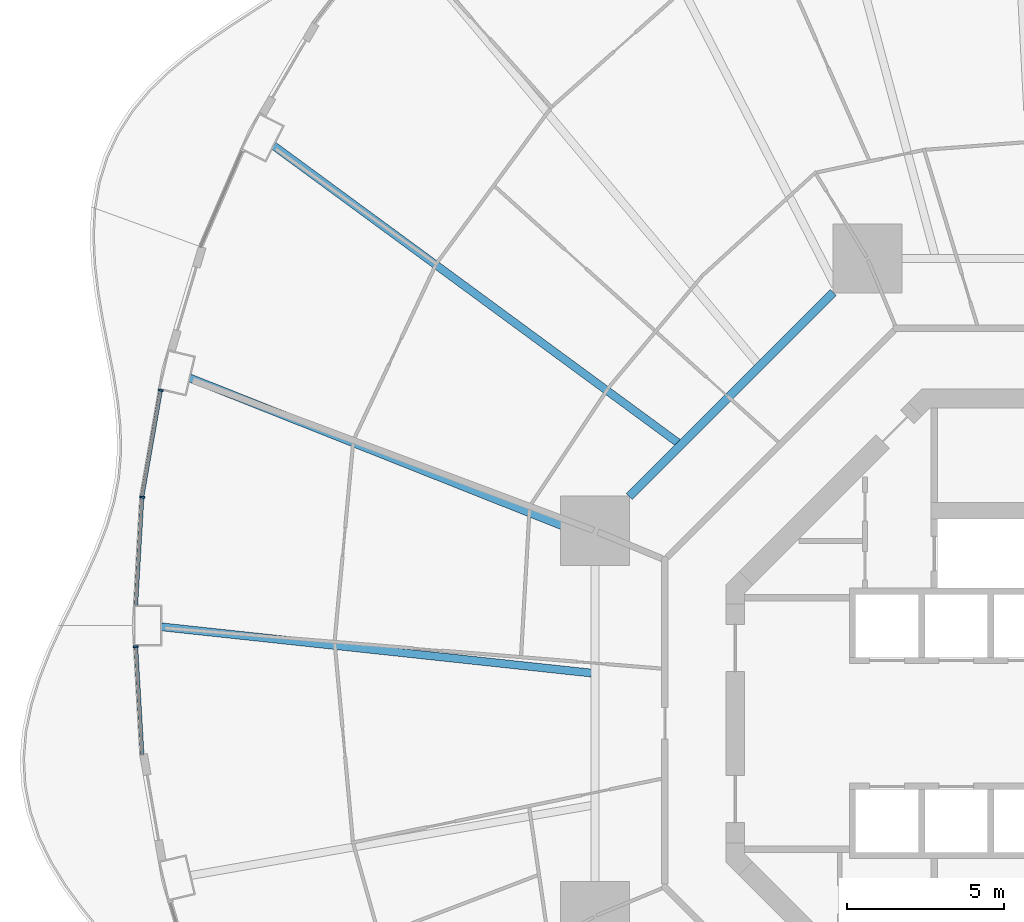
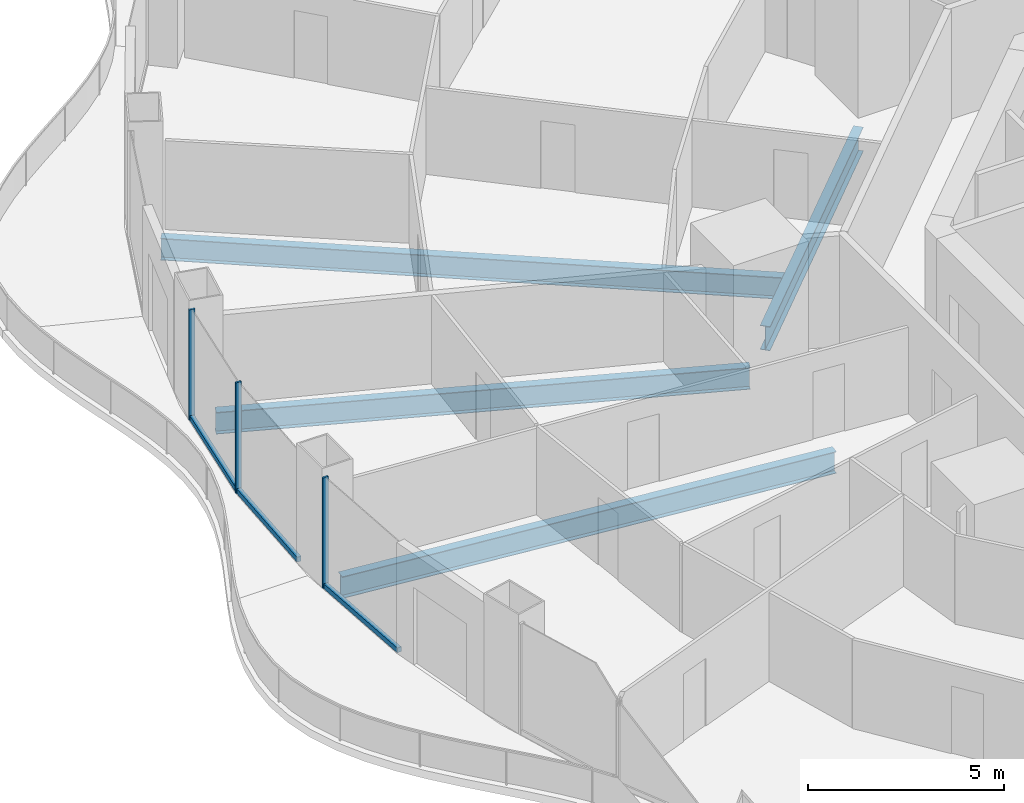
# One storey, part 6 of 22: 6 members, 4 beams, 3 elements without a shape of their own.
"""IFC4 building model written with IfcOpenShell, lengths in metres."""

from ifc_helpers import new_model, si_unit, direction, frame, origin, origin_2d, place, context, subcontext, project, spatial, rectangle, i_section, extrude, material, layer, layer_set, material_profile, profile_set, type_object, element, aggregate, save


model = new_model("IFC4")

# Units and contexts
model_context = context("Model", 3, precision=1e-05, world=origin(), true_north=direction((0.0, 1.0)))
body_context = subcontext(model_context, "Body", "Model", "MODEL_VIEW")
ifc_project = project(units=[si_unit("LENGTHUNIT", "METRE"), si_unit("AREAUNIT", "SQUARE_METRE"), si_unit("VOLUMEUNIT", "CUBIC_METRE"), si_unit("PLANEANGLEUNIT", "RADIAN"), si_unit("MASSUNIT", "GRAM", prefix="KILO")], contexts=[model_context])

# Site, building, storey
site_placement = place(None, origin())
site = spatial("IfcSite", under=ifc_project, at=site_placement, CompositionType="ELEMENT")
building_placement = place(site_placement, origin())
building = spatial("IfcBuilding", under=site, at=building_placement, Name="Nagisa Residences", CompositionType="ELEMENT")
storey_placement = place(building_placement, frame((0.0, 0.0, 73.300048828125)))
storey = spatial("IfcBuildingStorey", under=building, at=storey_placement, Name="L17", CompositionType="ELEMENT", Elevation=73.300048828125)

# Curtain wall, member
ifc_material_1 = material(Name="Concrete-coloured aluminium curtain wall system", Category="concrete")
ifc_layer = layer(ifc_material_1, 0.159912109375)
ifc_layer_set = layer_set([ifc_layer], Name="CW1 CURTAIN WALL")
curtain_wall_type = type_object("IfcCurtainWallType", Name="CW1 CURTAIN WALL", PredefinedType="NOTDEFINED", material=ifc_layer_set)
curtain_wall_1_placement = place(storey_placement, origin())
curtain_wall_1 = element("IfcCurtainWall", 1, at=curtain_wall_1_placement, inside=storey, type_object=curtain_wall_type, Name="cw:CW1:L17:22", PredefinedType="NOTDEFINED")
ifc_material_2 = material(Name="Concrete-coloured aluminium", Category="concrete")
ifc_material_profile_1 = material_profile(ifc_material_2, rectangle(XDim=0.159912109375, YDim=0.06005859375, at=origin_2d()), Name="CW1 MULLION 160x60")
ifc_profile_set_1 = profile_set([ifc_material_profile_1], Name="Concrete-coloured aluminium")
member_type_1 = type_object("IfcMemberType", Name="CW1 MULLION 160x60", PredefinedType="MULLION", material=ifc_profile_set_1)
member_1_placement = place(storey_placement, frame((-28.589599609375, 10.5908203125, 0.0), z_axis=(0.0, 0.0, 1.0), x_axis=(0.985063604377, -0.172190868898, 0.0)))
member_1 = element("IfcMember", 2, at=member_1_placement, type_object=member_type_1, Name="CW1 mullion", PredefinedType="MULLION", context=body_context, shape_type="SweptSolid", body=[
    extrude(rectangle(XDim=0.159912109375, YDim=0.06005859375, at=origin_2d()), origin(), (0.0, 0.0, 1.0), 3.43994140625),
])

curtain_wall_2_placement = place(storey_placement, origin())
curtain_wall_2 = element("IfcCurtainWall", 3, at=curtain_wall_2_placement, inside=storey, type_object=curtain_wall_type, Name="cw:CW1:L17:23", PredefinedType="NOTDEFINED")
member_2_placement = place(storey_placement, frame((-29.179931640625, 7.19677734375, 0.0), z_axis=(0.0, 0.0, 1.0), x_axis=(0.998345305184, -0.057503492216, 0.0)))
member_2 = element("IfcMember", 4, at=member_2_placement, type_object=member_type_1, Name="CW1 mullion", PredefinedType="MULLION", context=body_context, shape_type="SweptSolid", body=[
    extrude(rectangle(XDim=0.159912109375, YDim=0.06005859375, at=origin_2d()), origin(), (0.0, 0.0, 1.0), 3.43994140625),
])

curtain_wall_3_placement = place(storey_placement, origin())
curtain_wall_3 = element("IfcCurtainWall", 5, at=curtain_wall_3_placement, inside=storey, type_object=curtain_wall_type, Name="cw:CW1:L17:24", PredefinedType="NOTDEFINED")
member_3_placement = place(storey_placement, frame((-29.3759765625, 2.443359375, 0.0), z_axis=(0.0, 0.0, 1.0), x_axis=(0.998345305184, 0.057503492216, 0.0)))
member_3 = element("IfcMember", 6, at=member_3_placement, type_object=member_type_1, Name="CW1 mullion", PredefinedType="MULLION", context=body_context, shape_type="SweptSolid", body=[
    extrude(rectangle(XDim=0.159912109375, YDim=0.06005859375, at=origin_2d()), origin(), (0.0, 0.0, 1.0), 3.43994140625),
])

# Member
ifc_material_3 = material(Name="Concrete-coloured aluminium", Category="concrete")
ifc_material_profile_2 = material_profile(ifc_material_3, rectangle(XDim=0.1201171875, YDim=0.14990234375, at=origin_2d()), Name="CW1 TRANSOM 120x150")
ifc_profile_set_2 = profile_set([ifc_material_profile_2], Name="Concrete-coloured aluminium")
member_type_2 = type_object("IfcMemberType", Name="CW1 TRANSOM 120x150", PredefinedType="USERDEFINED", material=ifc_profile_set_2)
member_4_placement = place(storey_placement, frame((-28.58447265625, 10.620361328125, 0.074951171875), z_axis=(-0.172164316671, -0.985068245385, 0.0), x_axis=(0.985068245385, -0.172164316671, 0.0)))
member_4 = element("IfcMember", 7, at=member_4_placement, type_object=member_type_2, Name="CW1 transom", ObjectType="TRANSOM", PredefinedType="USERDEFINED", context=body_context, shape_type="SweptSolid", body=[
    extrude(rectangle(XDim=0.1201171875, YDim=0.14990234375, at=origin_2d()), origin(), (0.0, 0.0, 1.0), 3.454345703125),
])

aggregate(curtain_wall_1, [member_1, member_4])

member_5_placement = place(storey_placement, frame((-29.17822265625, 7.2265625, 0.074951171875), z_axis=(-0.057476526179, -0.99834685803, 0.0), x_axis=(0.99834685803, -0.057476526179, 0.0)))
member_5 = element("IfcMember", 8, at=member_5_placement, type_object=member_type_2, Name="CW1 transom", ObjectType="TRANSOM", PredefinedType="USERDEFINED", context=body_context, shape_type="SweptSolid", body=[
    extrude(rectangle(XDim=0.1201171875, YDim=0.14990234375, at=origin_2d()), origin(), (0.0, 0.0, 1.0), 3.47021484375),
])

aggregate(curtain_wall_2, [member_2, member_5])

member_6_placement = place(storey_placement, frame((-29.377685546875, 2.473388671875, 0.074951171875), z_axis=(0.057476526179, -0.99834685803, 0.0), x_axis=(0.99834685803, 0.057476526179, 0.0)))
member_6 = element("IfcMember", 9, at=member_6_placement, type_object=member_type_2, Name="CW1 transom", ObjectType="TRANSOM", PredefinedType="USERDEFINED", context=body_context, shape_type="SweptSolid", body=[
    extrude(rectangle(XDim=0.1201171875, YDim=0.14990234375, at=origin_2d()), origin(), (0.0, 0.0, 1.0), 3.47021484375),
])

aggregate(curtain_wall_3, [member_3, member_6])

# Beams
ifc_material_4 = material(Name="Steel ASTM A572 Gr 50", Category="steel")
ifc_material_profile_3 = material_profile(ifc_material_4, i_section(OverallWidth=0.264892578125, OverallDepth=0.7529296875, WebThickness=0.01318359375, FlangeThickness=0.01708984375, at=origin_2d()), Name="W760x147")
ifc_profile_set_3 = profile_set([ifc_material_profile_3], Name="Steel ASTM A572 Gr 50")
beam_type_1 = type_object("IfcBeamType", Name="Inner ring beam W760x147", PredefinedType="BEAM", material=ifc_profile_set_3)
beam_1_placement = place(storey_placement, frame((-7.208740234375, 13.6962890625, -0.636474609375), z_axis=(-0.707106781187, -0.707106781187, 0.0), x_axis=(0.707106781187, -0.707106781187, 0.0)))
element("IfcBeam", 10, at=beam_1_placement, inside=storey, type_object=beam_type_1, Name="beam:L17:ib3", PredefinedType="BEAM", context=body_context, shape_type="SweptSolid", body=[
    extrude(i_section(OverallWidth=0.264892578125, OverallDepth=0.7529296875, WebThickness=0.01318359375, FlangeThickness=0.01708984375, at=origin_2d()), origin(), (0.0, 0.0, 1.0), 9.1748046875),
])
ifc_material_5 = material(Name="Steel ASTM A572 Gr 50", Category="steel")
ifc_material_profile_4 = material_profile(ifc_material_5, i_section(OverallWidth=0.2529296875, OverallDepth=0.677978515625, WebThickness=0.01171875, FlangeThickness=0.016357421875, at=origin_2d()), Name="W690x125")
ifc_profile_set_4 = profile_set([ifc_material_profile_4], Name="Steel ASTM A572 Gr 50")
beam_type_2 = type_object("IfcBeamType", Name="Radial beam W690x125", PredefinedType="BEAM", material=ifc_profile_set_4)
beam_2_placement = place(storey_placement, frame((-25.0, 18.366943359375, -0.59912109375), z_axis=(0.805892392895, -0.59206203313, 0.0), x_axis=(0.59206203313, 0.805892392895, 0.0)))
element("IfcBeam", 11, at=beam_2_placement, inside=storey, type_object=beam_type_2, Name="beam:L17:rb11", PredefinedType="BEAM", context=body_context, shape_type="SweptSolid", body=[
    extrude(i_section(OverallWidth=0.2529296875, OverallDepth=0.677978515625, WebThickness=0.01171875, FlangeThickness=0.016357421875, at=origin_2d()), origin(), (0.0, 0.0, 1.0), 15.95361328125),
])
beam_3_placement = place(storey_placement, frame((-27.6640625, 10.984375, -0.59912109375), z_axis=(0.929418643834, -0.369027078267, 0.0), x_axis=(0.369027078267, 0.929418643834, 0.0)))
element("IfcBeam", 12, at=beam_3_placement, inside=storey, type_object=beam_type_2, Name="beam:L17:rb12", PredefinedType="BEAM", context=body_context, shape_type="SweptSolid", body=[
    extrude(i_section(OverallWidth=0.2529296875, OverallDepth=0.677978515625, WebThickness=0.01171875, FlangeThickness=0.016357421875, at=origin_2d()), origin(), (0.0, 0.0, 1.0), 13.73779296875),
])
beam_4_placement = place(storey_placement, frame((-28.56494140625, 3.071533203125, -0.59912109375), z_axis=(0.99426817007, -0.10691494744, 0.0), x_axis=(0.10691494744, 0.99426817007, 0.0)))
element("IfcBeam", 13, at=beam_4_placement, inside=storey, type_object=beam_type_2, Name="beam:L17:rb13", PredefinedType="BEAM", context=body_context, shape_type="SweptSolid", body=[
    extrude(i_section(OverallWidth=0.2529296875, OverallDepth=0.677978515625, WebThickness=0.01171875, FlangeThickness=0.016357421875, at=origin_2d()), origin(), (0.0, 0.0, 1.0), 13.7490234375),
])

save(model, "model.ifc")
